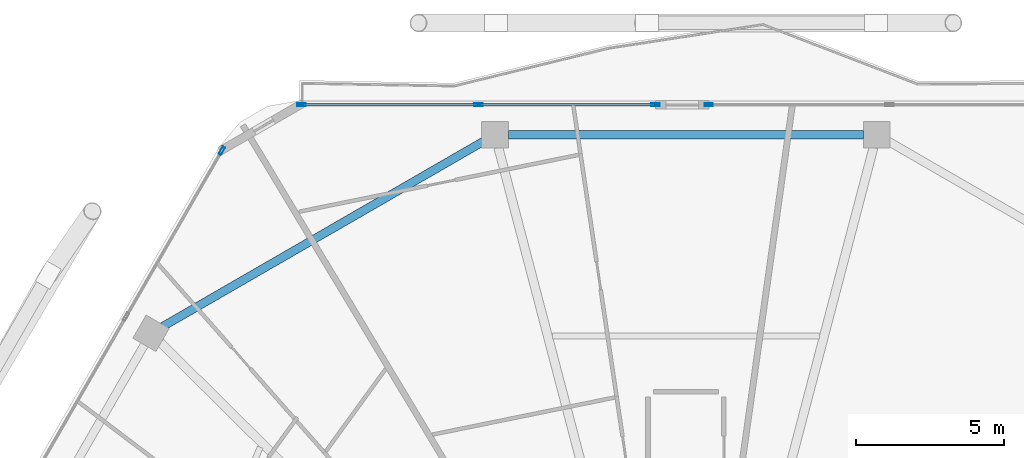
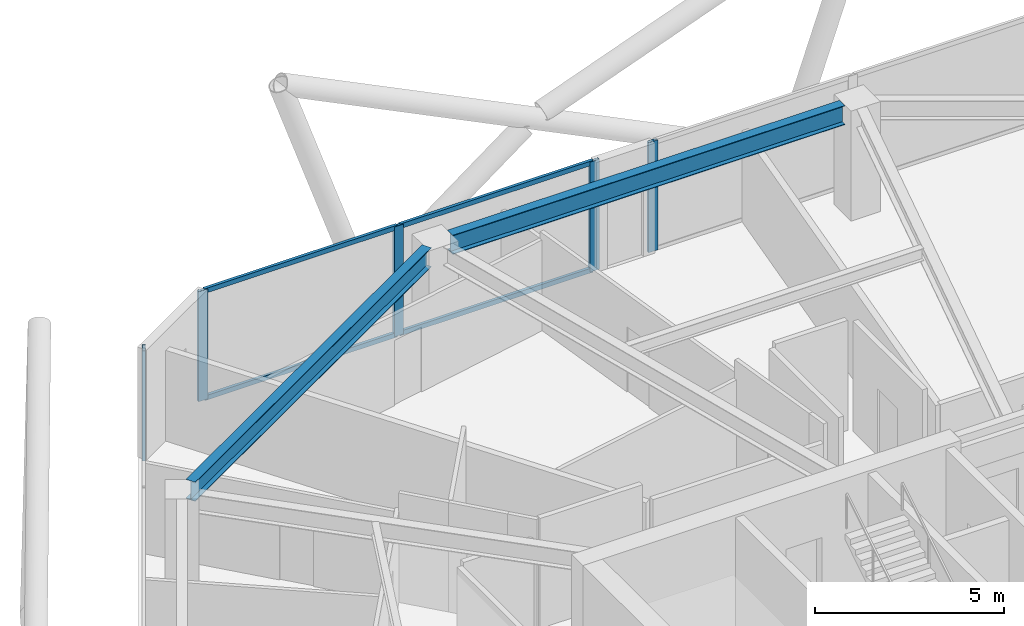
# One storey, part 15 of 28: 9 members, 2 beams, 3 elements without a shape of their own.
"""IFC4 building model written with IfcOpenShell, lengths in metres."""

from ifc_helpers import new_model, si_unit, direction, frame, origin, origin_2d, place, context, subcontext, project, spatial, hollow_rectangle, i_section, extrude, material, material_profile, profile_set, type_object, element, aggregate, save


model = new_model("IFC4")

# Units and contexts
model_context = context("Model", 3, precision=1e-05, world=origin(), true_north=direction((0.0, 1.0)))
body_context = subcontext(model_context, "Body", "Model", "MODEL_VIEW")
ifc_project = project(units=[si_unit("LENGTHUNIT", "METRE"), si_unit("AREAUNIT", "SQUARE_METRE"), si_unit("VOLUMEUNIT", "CUBIC_METRE"), si_unit("PLANEANGLEUNIT", "RADIAN"), si_unit("MASSUNIT", "GRAM", prefix="KILO")], contexts=[model_context])

# Site, building, storey
site_placement = place(None, origin())
site = spatial("IfcSite", under=ifc_project, at=site_placement, CompositionType="ELEMENT")
building_placement = place(site_placement, origin())
building = spatial("IfcBuilding", under=site, at=building_placement, Name="Zuhravey Tower", CompositionType="ELEMENT")
storey_placement = place(building_placement, frame((0.0, 0.0, 254.0)))
storey = spatial("IfcBuildingStorey", under=building, at=storey_placement, Name="L64", CompositionType="ELEMENT", Elevation=254.0)

# Curtain wall, member
ifc_material_1 = material(Name="Thermally broken anodised aluminium", Category="aluminium")
curtain_wall_type = type_object("IfcCurtainWallType", Name="Zone 3-4 High-Rise Curtain Wall CW4", PredefinedType="NOTDEFINED", material=ifc_material_1)
curtain_wall_1_placement = place(storey_placement, origin())
curtain_wall_1 = element("IfcCurtainWall", 1, at=curtain_wall_1_placement, inside=storey, type_object=curtain_wall_type, Name="L64 CW4 CW-L64-F3-1", PredefinedType="NOTDEFINED")
ifc_material_2 = material(Name="Anodised aluminium", Category="aluminium")
ifc_material_profile_1 = material_profile(ifc_material_2, hollow_rectangle(XDim=0.090087890625, YDim=0.284912109375, WallThickness=0.0048828125, at=origin_2d()), Name="ALU-RHS-90x285x5")
ifc_profile_set_1 = profile_set([ifc_material_profile_1], Name="Anodised aluminium")
member_type_1 = type_object("IfcMemberType", Name="Curtain-Wall Mullion 90x180", PredefinedType="MULLION", material=ifc_profile_set_1)
member_1_placement = place(storey_placement, frame((20.34521484375, 56.01220703125, 0.0), z_axis=(0.0, 0.0, 1.0), x_axis=(-0.866024851021, 0.500000957414, 0.0)))
member_1 = element("IfcMember", 2, at=member_1_placement, type_object=member_type_1, Name="CW4 mullion 5", PredefinedType="MULLION", context=body_context, shape_type="SweptSolid", body=[
    extrude(hollow_rectangle(XDim=0.090087890625, YDim=0.284912109375, WallThickness=0.0048828125, at=origin_2d()), origin(), (0.0, 0.0, 1.0), 3.550048828125),
])
aggregate(curtain_wall_1, [member_1])

# Curtain wall, members
curtain_wall_2_placement = place(storey_placement, origin())
curtain_wall_2 = element("IfcCurtainWall", 3, at=curtain_wall_2_placement, inside=storey, type_object=curtain_wall_type, Name="L64 CW4 CW-L64-F2-1", PredefinedType="NOTDEFINED")
member_2_placement = place(storey_placement, frame((23.0322265625, 57.563720703125, 0.0), z_axis=(0.0, 0.0, 1.0), x_axis=(0.0, 1.0, 0.0)))
member_2 = element("IfcMember", 4, at=member_2_placement, type_object=member_type_1, Name="CW4 mullion 1", PredefinedType="MULLION", context=body_context, shape_type="SweptSolid", body=[
    extrude(hollow_rectangle(XDim=0.090087890625, YDim=0.284912109375, WallThickness=0.0048828125, at=origin_2d()), origin(), (0.0, 0.0, 1.0), 3.550048828125),
])
member_3_placement = place(storey_placement, frame((29.00634765625, 57.563720703125, 0.0), z_axis=(0.0, 0.0, 1.0), x_axis=(0.0, 1.0, 0.0)))
member_3 = element("IfcMember", 5, at=member_3_placement, type_object=member_type_1, Name="CW4 mullion 2", PredefinedType="MULLION", context=body_context, shape_type="SweptSolid", body=[
    extrude(hollow_rectangle(XDim=0.090087890625, YDim=0.284912109375, WallThickness=0.0048828125, at=origin_2d()), origin(), (0.0, 0.0, 1.0), 3.550048828125),
])
member_4_placement = place(storey_placement, frame((34.980224609375, 57.563720703125, 0.0), z_axis=(0.0, 0.0, 1.0), x_axis=(0.0, 1.0, 0.0)))
member_4 = element("IfcMember", 6, at=member_4_placement, type_object=member_type_1, Name="CW4 mullion 3", PredefinedType="MULLION", context=body_context, shape_type="SweptSolid", body=[
    extrude(hollow_rectangle(XDim=0.090087890625, YDim=0.284912109375, WallThickness=0.0048828125, at=origin_2d()), origin(), (0.0, 0.0, 1.0), 3.550048828125),
])

# Curtain wall, member
curtain_wall_3_placement = place(storey_placement, origin())
curtain_wall_3 = element("IfcCurtainWall", 7, at=curtain_wall_3_placement, inside=storey, type_object=curtain_wall_type, Name="L64 CW4 CW-L64-F2-2", PredefinedType="NOTDEFINED")
member_5_placement = place(storey_placement, frame((36.770263671875, 57.563720703125, 0.0), z_axis=(0.0, 0.0, 1.0), x_axis=(0.0, 1.0, 0.0)))
member_5 = element("IfcMember", 8, at=member_5_placement, type_object=member_type_1, Name="CW4 mullion 1", PredefinedType="MULLION", context=body_context, shape_type="SweptSolid", body=[
    extrude(hollow_rectangle(XDim=0.090087890625, YDim=0.284912109375, WallThickness=0.0048828125, at=origin_2d()), origin(), (0.0, 0.0, 1.0), 3.550048828125),
])
aggregate(curtain_wall_3, [member_5])

# Member
ifc_material_profile_2 = material_profile(ifc_material_2, hollow_rectangle(XDim=0.090087890625, YDim=0.14990234375, WallThickness=0.0048828125, at=origin_2d()), Name="ALU-RHS-90x150x5")
ifc_profile_set_2 = profile_set([ifc_material_profile_2], Name="Anodised aluminium")
member_type_2 = type_object("IfcMemberType", Name="Curtain-Wall Transom 90x150", PredefinedType="USERDEFINED", material=ifc_profile_set_2)
member_6_placement = place(storey_placement, frame((23.077392578125, 57.563720703125, 0.044921875), z_axis=(1.0, 0.0, 0.0), x_axis=(0.0, 1.0, 0.0)))
member_6 = element("IfcMember", 9, at=member_6_placement, type_object=member_type_2, Name="CW4 transom 1.1", ObjectType="TRANSOM", PredefinedType="USERDEFINED", context=body_context, shape_type="SweptSolid", body=[
    extrude(hollow_rectangle(XDim=0.090087890625, YDim=0.14990234375, WallThickness=0.0048828125, at=origin_2d()), origin(), (0.0, 0.0, 1.0), 5.8837890625),
])

member_7_placement = place(storey_placement, frame((23.077392578125, 57.563720703125, 3.5048828125), z_axis=(1.0, 0.0, 0.0), x_axis=(0.0, 1.0, 0.0)))
member_7 = element("IfcMember", 10, at=member_7_placement, type_object=member_type_2, Name="CW4 transom 1.2", ObjectType="TRANSOM", PredefinedType="USERDEFINED", context=body_context, shape_type="SweptSolid", body=[
    extrude(hollow_rectangle(XDim=0.090087890625, YDim=0.14990234375, WallThickness=0.0048828125, at=origin_2d()), origin(), (0.0, 0.0, 1.0), 5.8837890625),
])

member_8_placement = place(storey_placement, frame((29.05126953125, 57.563720703125, 0.044921875), z_axis=(1.0, 0.0, 0.0), x_axis=(0.0, 1.0, 0.0)))
member_8 = element("IfcMember", 11, at=member_8_placement, type_object=member_type_2, Name="CW4 transom 2.1", ObjectType="TRANSOM", PredefinedType="USERDEFINED", context=body_context, shape_type="SweptSolid", body=[
    extrude(hollow_rectangle(XDim=0.090087890625, YDim=0.14990234375, WallThickness=0.0048828125, at=origin_2d()), origin(), (0.0, 0.0, 1.0), 5.884033203125),
])

member_9_placement = place(storey_placement, frame((29.05126953125, 57.563720703125, 3.5048828125), z_axis=(1.0, 0.0, 0.0), x_axis=(0.0, 1.0, 0.0)))
member_9 = element("IfcMember", 12, at=member_9_placement, type_object=member_type_2, Name="CW4 transom 2.2", ObjectType="TRANSOM", PredefinedType="USERDEFINED", context=body_context, shape_type="SweptSolid", body=[
    extrude(hollow_rectangle(XDim=0.090087890625, YDim=0.14990234375, WallThickness=0.0048828125, at=origin_2d()), origin(), (0.0, 0.0, 1.0), 5.884033203125),
])

aggregate(curtain_wall_2, [member_2, member_3, member_4, member_6, member_7, member_8, member_9])

# Beams
ifc_material_3 = material(Name="Steel SM355", Category="steel")
ifc_material_profile_3 = material_profile(ifc_material_3, i_section(OverallWidth=0.280029296875, OverallDepth=0.6201171875, WebThickness=0.011962890625, FlangeThickness=0.02001953125, at=origin_2d()), Name="H-620x280x12x20")
ifc_profile_set_3 = profile_set([ifc_material_profile_3], Name="Steel SM355")
beam_type = type_object("IfcBeamType", Name="Perimeter Ring Beam H620x280", PredefinedType="BEAM", material=ifc_profile_set_3)
beam_1_placement = place(storey_placement, frame((41.98779296875, 56.5537109375, 3.239990234375), z_axis=(-1.0, 0.0, 0.0), x_axis=(0.0, -1.0, 0.0)))
element("IfcBeam", 13, at=beam_1_placement, inside=storey, type_object=beam_type, Name="L64 PB3 BM-L64-PB-03", PredefinedType="BEAM", context=body_context, shape_type="SweptSolid", body=[
    extrude(i_section(OverallWidth=0.280029296875, OverallDepth=0.6201171875, WebThickness=0.011962890625, FlangeThickness=0.02001953125, at=origin_2d()), origin(), (0.0, 0.0, 1.0), 11.9755859375),
])
beam_2_placement = place(storey_placement, frame((29.166748046875, 56.3271484375, 3.239990234375), z_axis=(-0.866025131093, -0.500000472315, 0.0), x_axis=(0.500000472315, -0.866025131093, 0.0)))
element("IfcBeam", 14, at=beam_2_placement, inside=storey, type_object=beam_type, Name="L64 PB3 BM-L64-PB-04", PredefinedType="BEAM", context=body_context, shape_type="SweptSolid", body=[
    extrude(i_section(OverallWidth=0.280029296875, OverallDepth=0.6201171875, WebThickness=0.011962890625, FlangeThickness=0.02001953125, at=origin_2d()), origin(), (0.0, 0.0, 1.0), 12.49169921875),
])

save(model, "model.ifc")
